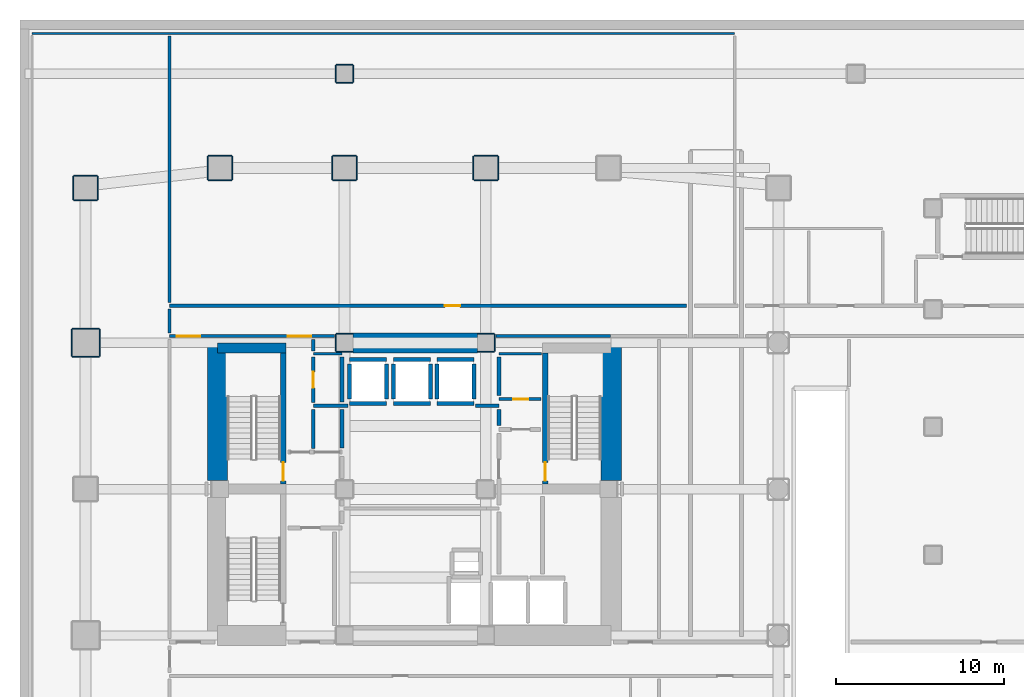
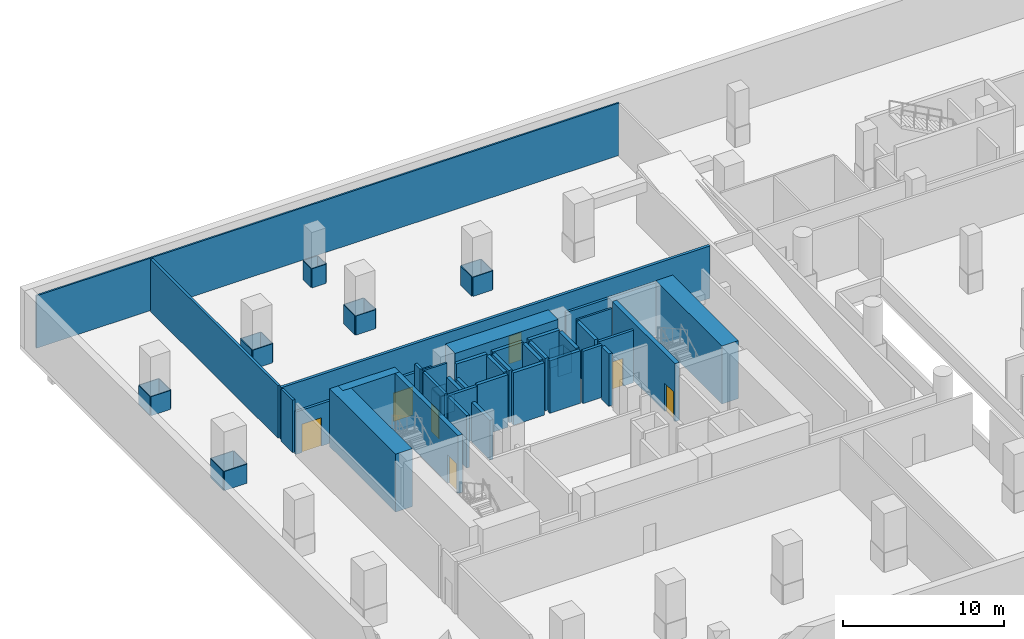
# One storey, part 11 of 22: 66 walls, 7 doors, 7 openings.
"""IFC4 building model written with IfcOpenShell, lengths in metres."""

import ifcopenshell
import ifcopenshell.guid

model = None  # the IFC model being written
_history = None  # IfcOwnerHistory: only IFC2X3 demands one
_inside = {}  # id of a spatial element -> (the spatial element, [elements in it])
_under = {}  # id of a project, library or spatial element -> (it, [spatial elements below it])
_declared = {}  # id of a project -> (the project, [libraries it declares])
_typed = {}  # id of a type object -> (the type object, [elements of that type])
_made_of = {}  # id of a material, layer set ... -> (it, [elements and type objects made of it])


def new_model(schema):
    """Start an empty IFC model of exactly this schema.

    Asked for "IFC4X3", IfcOpenShell would pick the latest addendum, in which some entities
    have other attributes; the version numbers below select the first issue.
    IFC2X3 requires an IfcOwnerHistory on every rooted entity: one is made here for all.
    """
    global model, _history
    if schema == "IFC4X3":
        model = ifcopenshell.file(schema_version=(4, 3, 0, 0))
    else:
        model = ifcopenshell.file(schema=schema)
    _inside.clear()
    _under.clear()
    _declared.clear()
    _typed.clear()
    _made_of.clear()
    _history = None
    if model.schema == "IFC2X3":
        org = make("IfcOrganization", Name="unknown")
        user = make(
            "IfcPersonAndOrganization",
            ThePerson=make("IfcPerson", FamilyName="unknown"),
            TheOrganization=org,
        )
        app = make(
            "IfcApplication",
            ApplicationDeveloper=org,
            Version="unknown",
            ApplicationFullName="unknown",
            ApplicationIdentifier="unknown",
        )
        _history = make(
            "IfcOwnerHistory",
            OwningUser=user,
            OwningApplication=app,
            ChangeAction="ADDED",
            CreationDate=0,
        )
    return model


def make(cls, **values):
    """One entity of the class cls with the attributes given. An attribute that is None is left unset."""
    return model.create_entity(
        cls, **{name: value for name, value in values.items() if value is not None}
    )


def rooted(cls, **values):
    """An entity with a GlobalId (a new one), such as an element, a storey or a relation."""
    return make(cls, GlobalId=ifcopenshell.guid.new(), OwnerHistory=_history, **values)


def si_unit(unit_type, name, prefix=None):
    """IfcSIUnit, for example si_unit("LENGTHUNIT", "METRE", prefix="MILLI")."""
    return make("IfcSIUnit", UnitType=unit_type, Prefix=prefix, Name=name)


def assignment(units):
    """IfcUnitAssignment: the units of a project."""
    return None if units is None else make("IfcUnitAssignment", Units=units)


def point(xyz):
    """IfcCartesianPoint."""
    return None if xyz is None else make("IfcCartesianPoint", Coordinates=xyz)


def direction(xyz):
    """IfcDirection."""
    return None if xyz is None else make("IfcDirection", DirectionRatios=xyz)


def frame(location, z_axis=None, x_axis=None):
    """IfcAxis2Placement3D, a coordinate frame: its origin and axes. An axis left out is left unset."""
    return make(
        "IfcAxis2Placement3D",
        Location=point(location),
        Axis=direction(z_axis),
        RefDirection=direction(x_axis),
    )


def frame_2d(location, x_axis=None):
    """IfcAxis2Placement2D, a coordinate frame in the plane: its origin and x axis."""
    return make(
        "IfcAxis2Placement2D", Location=point(location), RefDirection=direction(x_axis)
    )


def origin():
    """The frame at (0, 0, 0) with its axes left unset."""
    return frame((0.0, 0.0, 0.0))


def place(relative_to, where):
    """IfcLocalPlacement: puts the frame where relative to a parent placement (None: the world)."""
    return make(
        "IfcLocalPlacement", PlacementRelTo=relative_to, RelativePlacement=where
    )


def context(
    kind, dimensions, precision=None, world=None, true_north=None, identifier=None
):
    """IfcGeometricRepresentationContext, for example the 3D "Model" context."""
    return make(
        "IfcGeometricRepresentationContext",
        ContextIdentifier=identifier,
        ContextType=kind,
        CoordinateSpaceDimension=dimensions,
        Precision=precision,
        WorldCoordinateSystem=world,
        TrueNorth=true_north,
    )


def subcontext(parent, identifier, kind, view, scale=None):
    """IfcGeometricRepresentationSubContext, for example "Body" below "Model"."""
    return make(
        "IfcGeometricRepresentationSubContext",
        ContextIdentifier=identifier,
        ContextType=kind,
        ParentContext=parent,
        TargetScale=scale,
        TargetView=view,
    )


def project(units=None, contexts=None):
    """IfcProject with its units and contexts."""
    return rooted(
        "IfcProject",
        Name="project",
        RepresentationContexts=contexts,
        UnitsInContext=assignment(units),
    )


def spatial(cls, under=None, at=None, **own):
    """A site, building, storey or space (cls), placed at a placement, below another one or the project."""
    s = rooted(cls, ObjectPlacement=at, **own)
    if under is not None:
        _under.setdefault(under.id(), (under, []))[1].append(s)
    return s


def profile(cls, at=None, kind="AREA", **sizes):
    """A parametric profile (cls). Its sizes go by their IFC names, for example OverallWidth=200.0."""
    return make(cls, ProfileType=kind, Position=at, **sizes)


def rectangle(**sizes):
    """IfcRectangleProfileDef."""
    return profile("IfcRectangleProfileDef", **sizes)


def extrude(swept, where, along, depth):
    """IfcExtrudedAreaSolid: the profile swept, set in the frame where, extruded along a direction by depth."""
    return make(
        "IfcExtrudedAreaSolid",
        SweptArea=swept,
        Position=where,
        ExtrudedDirection=direction(along),
        Depth=depth,
    )


def shape(context_of_items, identifier, shape_type, items):
    """IfcShapeRepresentation: the items that make up one representation, for example the "Body"."""
    return make(
        "IfcShapeRepresentation",
        ContextOfItems=context_of_items,
        RepresentationIdentifier=identifier,
        RepresentationType=shape_type,
        Items=items,
    )


def material(Name=None, Category=None):
    """IfcMaterial."""
    return make("IfcMaterial", Name=Name, Category=Category)


def layer(
    of_material, thickness, ventilated=None, Name=None, Category=None, Priority=None
):
    """IfcMaterialLayer: one layer of a wall or slab, of a material (None: an air gap)."""
    return make(
        "IfcMaterialLayer",
        Material=of_material,
        LayerThickness=thickness,
        IsVentilated=ventilated,
        Name=Name,
        Category=Category,
        Priority=Priority,
    )


def layer_set(layers, Name=None):
    """IfcMaterialLayerSet."""
    return make("IfcMaterialLayerSet", MaterialLayers=layers, LayerSetName=Name)


def made_of(thing, what):
    """Note that an element or type object is made of a material, layer set ...; save() writes the relation."""
    if what is not None:
        _made_of.setdefault(what.id(), (what, []))[1].append(thing)
    return thing


def type_object(cls, material=None, **own):
    """A type object (cls), such as IfcWallType, which elements share."""
    return made_of(rooted(cls, **own), material)


def element(
    cls,
    number,
    at=None,
    inside=None,
    cuts=None,
    type_object=None,
    material=None,
    context=None,
    identifier="Body",
    shape_type=None,
    held_by="IfcProductDefinitionShape",
    body=None,
    shapes=None,
    **own,
):
    """One element of the class cls, such as IfcWall. Its Tag is "e" and its number.

    at: its placement. inside: the storey or other place that contains it. cuts: it is an
    opening in that element (IfcRelVoidsElement). A single representation is given by context,
    identifier, shape_type and body (its items); several are given by shapes. held_by: the class
    of the entity that holds the representations. save() writes the other relations.
    """
    e = rooted(cls, Tag="e%d" % number, ObjectPlacement=at, **own)
    if body is not None:
        shapes = [shape(context, identifier, shape_type, body)]
    if shapes is not None:
        e.Representation = make(held_by, Representations=shapes)
    if inside is not None:
        _inside.setdefault(inside.id(), (inside, []))[1].append(e)
    if cuts is not None:
        rooted(
            "IfcRelVoidsElement", RelatingBuildingElement=cuts, RelatedOpeningElement=e
        )
    if type_object is not None:
        _typed.setdefault(type_object.id(), (type_object, []))[1].append(e)
    return made_of(e, material)


def fill(opening, filler):
    """IfcRelFillsElement: the door or window that sits in an opening."""
    return rooted(
        "IfcRelFillsElement",
        RelatingOpeningElement=opening,
        RelatedBuildingElement=filler,
    )


def aggregate(whole, parts):
    """IfcRelAggregates: a whole, such as a stair, and the parts it consists of."""
    return rooted("IfcRelAggregates", RelatingObject=whole, RelatedObjects=parts)


def save(model, path):
    """Write the relations noted so far, then the file.

    IfcRelAggregates (storeys below a building ...), IfcRelContainedInSpatialStructure (elements
    in a storey), IfcRelDefinesByType, IfcRelAssociatesMaterial and IfcRelDeclares: one each for
    every whole, place, type object, material and project.
    """
    for whole, parts in _under.values():
        aggregate(whole, parts)
    for where, things in _inside.values():
        rooted(
            "IfcRelContainedInSpatialStructure",
            RelatedElements=things,
            RelatingStructure=where,
        )
    for kind, things in _typed.values():
        rooted("IfcRelDefinesByType", RelatedObjects=things, RelatingType=kind)
    for what, things in _made_of.values():
        rooted("IfcRelAssociatesMaterial", RelatedObjects=things, RelatingMaterial=what)
    for by, libraries in _declared.values():
        rooted("IfcRelDeclares", RelatingContext=by, RelatedDefinitions=libraries)
    model.write(path)


model = new_model("IFC4")

# Units and contexts
model_context = context("Model", 3, precision=1e-05, world=origin(), true_north=direction((0.0, 1.0)))
body_context = subcontext(model_context, "Body", "Model", "MODEL_VIEW")
ifc_project = project(units=[si_unit("LENGTHUNIT", "METRE"), si_unit("AREAUNIT", "SQUARE_METRE"), si_unit("VOLUMEUNIT", "CUBIC_METRE"), si_unit("PLANEANGLEUNIT", "RADIAN"), si_unit("MASSUNIT", "GRAM", prefix="KILO")], contexts=[model_context])

# Site, building, storey
site_placement = place(None, origin())
site = spatial("IfcSite", under=ifc_project, at=site_placement, CompositionType="ELEMENT")
building_placement = place(site_placement, origin())
building = spatial("IfcBuilding", under=site, at=building_placement, Name="Solanera Arch Residences", CompositionType="ELEMENT")
storey_placement = place(building_placement, frame((0.0, 0.0, -4.39990234375)))
storey = spatial("IfcBuildingStorey", under=building, at=storey_placement, Name="B01", CompositionType="ELEMENT", Elevation=-4.39990234375)

# Walls
ifc_material_1 = material(Name="Fire-Rated Gypsum Stud Partition", Category="gypsum")
ifc_layer_1 = layer(ifc_material_1, 0.06005859375)
ifc_layer_set_1 = layer_set([ifc_layer_1], Name="Fire-Rated Gypsum Stud Partition")
wall_type_1 = type_object("IfcWallType", Name="Column Acoustic Furring Wall 60", PredefinedType="PARTITIONING", material=ifc_layer_set_1)
for number, where, z_axis, x_axis, name in (
    (1, (20.300048828125, 38.867919921875, 0.0), (0.0, 0.0, 1.0), (1.0, 0.0, 0.0), "B01 Column Furring 3S"),
    (2, (20.300048828125, 39.931884765625, 0.0), (0.0, 0.0, 1.0), (1.0, 0.0, 0.0), "B01 Column Furring 3N"),
):
    element("IfcWall", number, at=place(storey_placement, frame(where, z_axis=z_axis, x_axis=x_axis)), inside=storey, type_object=wall_type_1, Name=name, PredefinedType="PARTITIONING", context=body_context, shape_type="SweptSolid", body=[
        extrude(rectangle(XDim=0.989990234375, YDim=0.06005859375, at=frame_2d((0.4951171875, 0.0))), origin(), (0.0, 0.0, 1.0), 1.449951171875),
    ])
wall_1_placement = place(storey_placement, frame((20.26806640625, 38.89990234375, 0.0), z_axis=(0.0, 0.0, 1.0), x_axis=(0.0, 1.0, 0.0)))
element("IfcWall", 3, at=wall_1_placement, inside=storey, type_object=wall_type_1, Name="B01 Column Furring 3W", PredefinedType="PARTITIONING", context=body_context, shape_type="SweptSolid", body=[
    extrude(rectangle(XDim=1.0, YDim=0.06005859375, at=frame_2d((0.5, 0.0))), origin(), (0.0, 0.0, 1.0), 1.449951171875),
])
for number, where, z_axis, x_axis, name in (
    (4, (28.7099609375, 38.867919921875, 0.0), (0.0, 0.0, 1.0), (1.0, 0.0, 0.0), "B01 Column Furring 4S"),
    (5, (28.7099609375, 39.931884765625, 0.0), (0.0, 0.0, 1.0), (1.0, 0.0, 0.0), "B01 Column Furring 4N"),
):
    element("IfcWall", number, at=place(storey_placement, frame(where, z_axis=z_axis, x_axis=x_axis)), inside=storey, type_object=wall_type_1, Name=name, PredefinedType="PARTITIONING", context=body_context, shape_type="SweptSolid", body=[
        extrude(rectangle(XDim=0.989990234375, YDim=0.06005859375, at=frame_2d((0.4951171875, 0.0))), origin(), (0.0, 0.0, 1.0), 1.449951171875),
    ])
wall_2_placement = place(storey_placement, frame((29.73193359375, 38.89990234375, 0.0), z_axis=(0.0, 0.0, 1.0), x_axis=(0.0, 1.0, 0.0)))
element("IfcWall", 6, at=wall_2_placement, inside=storey, type_object=wall_type_1, Name="B01 Column Furring 4E", PredefinedType="PARTITIONING", context=body_context, shape_type="SweptSolid", body=[
    extrude(rectangle(XDim=1.0, YDim=0.06005859375, at=frame_2d((0.5, 0.0))), origin(), (0.0, 0.0, 1.0), 1.449951171875),
])
for number, where, z_axis, x_axis, name in (
    (7, (12.699951171875, 49.068115234375, 0.0), (0.0, 0.0, 1.0), (1.0, 0.0, 0.0), "B01 Column Furring 11S"),
    (8, (12.699951171875, 50.531982421875, 0.0), (0.0, 0.0, 1.0), (1.0, 0.0, 0.0), "B01 Column Furring 11N"),
):
    element("IfcWall", number, at=place(storey_placement, frame(where, z_axis=z_axis, x_axis=x_axis)), inside=storey, type_object=wall_type_1, Name=name, PredefinedType="PARTITIONING", context=body_context, shape_type="SweptSolid", body=[
        extrude(rectangle(XDim=1.400146484375, YDim=0.06005859375, at=frame_2d((0.7001953125, 0.0))), origin(), (0.0, 0.0, 1.0), 1.449951171875),
    ])
for number, where, z_axis, x_axis, name in (
    (9, (12.66796875, 49.10009765625, 0.0), (0.0, 0.0, 1.0), (0.0, 1.0, 0.0), "B01 Column Furring 11W"),
    (10, (14.132080078125, 49.10009765625, 0.0), (0.0, 0.0, 1.0), (0.0, 1.0, 0.0), "B01 Column Furring 11E"),
    (11, (20.10009765625, 49.068115234375, 0.0), (0.0, 0.0, 1.0), (1.0, 0.0, 0.0), "B01 Column Furring 12S"),
    (12, (20.10009765625, 50.531982421875, 0.0), (0.0, 0.0, 1.0), (1.0, 0.0, 0.0), "B01 Column Furring 12N"),
    (13, (20.068115234375, 49.10009765625, 0.0), (0.0, 0.0, 1.0), (0.0, 1.0, 0.0), "B01 Column Furring 12W"),
    (14, (21.531982421875, 49.10009765625, 0.0), (0.0, 0.0, 1.0), (0.0, 1.0, 0.0), "B01 Column Furring 12E"),
    (15, (28.5, 49.068115234375, 0.0), (0.0, 0.0, 1.0), (1.0, 0.0, 0.0), "B01 Column Furring 13S"),
    (16, (28.5, 50.531982421875, 0.0), (0.0, 0.0, 1.0), (1.0, 0.0, 0.0), "B01 Column Furring 13N"),
    (17, (28.468017578125, 49.10009765625, 0.0), (0.0, 0.0, 1.0), (0.0, 1.0, 0.0), "B01 Column Furring 13W"),
    (18, (29.931884765625, 49.10009765625, 0.0), (0.0, 0.0, 1.0), (0.0, 1.0, 0.0), "B01 Column Furring 13E"),
):
    element("IfcWall", number, at=place(storey_placement, frame(where, z_axis=z_axis, x_axis=x_axis)), inside=storey, type_object=wall_type_1, Name=name, PredefinedType="PARTITIONING", context=body_context, shape_type="SweptSolid", body=[
        extrude(rectangle(XDim=1.39990234375, YDim=0.06005859375, at=frame_2d((0.699951171875, 0.0))), origin(), (0.0, 0.0, 1.0), 1.449951171875),
    ])
for number, where, z_axis, x_axis, name in (
    (19, (4.60009765625, 38.568115234375, 0.0), (0.0, 0.0, 1.0), (1.0, 0.0, 0.0), "B01 Column Furring 17S"),
    (20, (4.60009765625, 40.23193359375, 0.0), (0.0, 0.0, 1.0), (1.0, 0.0, 0.0), "B01 Column Furring 17N"),
    (21, (4.568115234375, 38.60009765625, 0.0), (0.0, 0.0, 1.0), (0.0, 1.0, 0.0), "B01 Column Furring 17W"),
    (22, (6.23193359375, 38.60009765625, 0.0), (0.0, 0.0, 1.0), (0.0, 1.0, 0.0), "B01 Column Furring 17E"),
):
    element("IfcWall", number, at=place(storey_placement, frame(where, z_axis=z_axis, x_axis=x_axis)), inside=storey, type_object=wall_type_1, Name=name, PredefinedType="PARTITIONING", context=body_context, shape_type="SweptSolid", body=[
        extrude(rectangle(XDim=1.599853515625, YDim=0.06005859375, at=frame_2d((0.7998046875, 0.0))), origin(), (0.0, 0.0, 1.0), 1.449951171875),
    ])
for number, where, z_axis, x_axis, name in (
    (23, (4.699951171875, 47.867919921875, 0.0), (0.0, 0.0, 1.0), (1.0, 0.0, 0.0), "B01 Column Furring 23S"),
    (24, (4.699951171875, 49.33203125, 0.0), (0.0, 0.0, 1.0), (1.0, 0.0, 0.0), "B01 Column Furring 23N"),
    (25, (4.66796875, 47.89990234375, 0.0), (0.0, 0.0, 1.0), (0.0, 1.0, 0.0), "B01 Column Furring 23W"),
    (26, (6.132080078125, 47.89990234375, 0.0), (0.0, 0.0, 1.0), (0.0, 1.0, 0.0), "B01 Column Furring 23E"),
):
    element("IfcWall", number, at=place(storey_placement, frame(where, z_axis=z_axis, x_axis=x_axis)), inside=storey, type_object=wall_type_1, Name=name, PredefinedType="PARTITIONING", context=body_context, shape_type="SweptSolid", body=[
        extrude(rectangle(XDim=1.400146484375, YDim=0.06005859375, at=frame_2d((0.7001953125, 0.0))), origin(), (0.0, 0.0, 1.0), 1.449951171875),
    ])
for number, where, z_axis, x_axis, name in (
    (27, (20.300048828125, 54.867919921875, 0.0), (0.0, 0.0, 1.0), (1.0, 0.0, 0.0), "B01 Column Furring 38S"),
    (28, (20.300048828125, 55.931884765625, 0.0), (0.0, 0.0, 1.0), (1.0, 0.0, 0.0), "B01 Column Furring 38N"),
    (29, (20.26806640625, 54.89990234375, 0.0), (0.0, 0.0, 1.0), (0.0, 1.0, 0.0), "B01 Column Furring 38W"),
    (30, (21.33203125, 54.89990234375, 0.0), (0.0, 0.0, 1.0), (0.0, 1.0, 0.0), "B01 Column Furring 38E"),
):
    element("IfcWall", number, at=place(storey_placement, frame(where, z_axis=z_axis, x_axis=x_axis)), inside=storey, type_object=wall_type_1, Name=name, PredefinedType="PARTITIONING", context=body_context, shape_type="SweptSolid", body=[
        extrude(rectangle(XDim=1.0, YDim=0.06005859375, at=frame_2d((0.5, 0.0))), origin(), (0.0, 0.0, 1.0), 1.449951171875),
    ])
ifc_material_2 = material(Name="Concrete C55/67 (f'c = 60 MPa)", Category="concrete")
ifc_layer_2 = layer(ifc_material_2, 1.199951171875)
ifc_layer_set_2 = layer_set([ifc_layer_2], Name="Concrete C55/67 (f'c = 60 MPa)")
wall_type_2 = type_object("IfcWallType", Name="Core Shear Wall CW-1200", PredefinedType="SHEAR", material=ifc_layer_set_2)
for number, where, z_axis, x_axis, name in (
    (31, (13.239990234375, 31.205078125, 0.0), (0.0, 0.0, 1.0), (0.0, 1.0, 0.0), "B01 West Core North Shear Wall"),
    (32, (36.659912109375, 31.205078125, 0.0), (0.0, 0.0, 1.0), (0.0, 1.0, 0.0), "B01 East Core North Shear Wall"),
):
    element("IfcWall", number, at=place(storey_placement, frame(where, z_axis=z_axis, x_axis=x_axis)), inside=storey, type_object=wall_type_2, Name=name, PredefinedType="SHEAR", context=body_context, shape_type="SweptSolid", body=[
        extrude(rectangle(XDim=8.19482421875, YDim=1.199951171875, at=frame_2d((4.097412109375, 0.0))), origin(), (0.0, 0.0, 1.0), 4.39990234375),
    ])
wall_3_placement = place(storey_placement, frame((21.304931640625, 39.39990234375, 0.0), z_axis=(0.0, 0.0, 1.0), x_axis=(1.0, 0.0, 0.0)))
element("IfcWall", 33, at=wall_3_placement, inside=storey, type_object=wall_type_2, Name="B01 Central North Core Shear Wall", PredefinedType="SHEAR", context=body_context, shape_type="SweptSolid", body=[
    extrude(rectangle(XDim=7.39013671875, YDim=1.199951171875, at=frame_2d((3.695068359375, 0.0))), origin(), (0.0, 0.0, 1.0), 4.39990234375),
])

# Wall, opening, door
ifc_material_3 = material(Name="Concrete C40/50 (f'c = 45 MPa)", Category="concrete")
ifc_layer_3 = layer(ifc_material_3, 0.320068359375)
ifc_layer_set_3 = layer_set([ifc_layer_3], Name="Concrete C40/50 (f'c = 45 MPa)")
wall_type_3 = type_object("IfcWallType", Name="Core Shear Wall CW-320", PredefinedType="SHEAR", material=ifc_layer_set_3)
wall_4_placement = place(storey_placement, frame((17.159912109375, 31.0, 0.0), z_axis=(0.0, 0.0, 1.0), x_axis=(0.0, 1.0, 0.0)))
wall_4 = element("IfcWall", 34, at=wall_4_placement, inside=storey, type_object=wall_type_3, Name="B01 Stair ST-T1 East Shear Wall", PredefinedType="SHEAR", context=body_context, shape_type="SweptSolid", body=[
    extrude(rectangle(XDim=7.800048828125, YDim=0.320068359375, at=frame_2d((3.89990234375, 0.0))), origin(), (0.0, 0.0, 1.0), 4.39990234375),
])
opening_1_placement = place(wall_4_placement, frame((0.18994140625, 0.0, 0.0)))
opening_1 = element("IfcOpeningElement", 35, at=opening_1_placement, cuts=wall_4, Name="Opening DF-01", PredefinedType="OPENING", context=body_context, shape_type="SweptSolid", body=[
    extrude(rectangle(XDim=1.10009765625, YDim=2.14990234375, at=frame_2d((0.550048828125, 1.074951171875))), frame((0.0, 0.169921875, 0.0), z_axis=(0.0, -1.0, 0.0), x_axis=(1.0, 0.0, 0.0)), (0.0, 0.0, 1.0), 0.3401),
])
ifc_material_4 = material(Name="Fire-Rated Architectural Hardwood", Category="wood")
door_type_1 = type_object("IfcDoorType", Name="Stair Exit Fire Door DF-01", OperationType="NOTDEFINED", PredefinedType="DOOR", material=ifc_material_4)
door_1_placement = place(opening_1_placement, origin())
door_1 = element("IfcDoor", 36, at=door_1_placement, inside=storey, type_object=door_type_1, Name="DR-B01-STAIR-ST-T1", OperationType="SINGLE_SWING_RIGHT", OverallHeight=2.14990234375, OverallWidth=1.10009765625, PredefinedType="DOOR", context=body_context, shape_type="SweptSolid", body=[
    extrude(rectangle(XDim=1.10009765625, YDim=2.14990234375, at=frame_2d((0.550048828125, 1.074951171875))), frame((0.0, 0.02490234375, 0.0), z_axis=(0.0, -1.0, 0.0), x_axis=(1.0, 0.0, 0.0)), (0.0, 0.0, 1.0), 0.050048828125),
])
fill(opening_1, door_1)

wall_5_placement = place(storey_placement, frame((32.739990234375, 31.0, 0.0), z_axis=(0.0, 0.0, 1.0), x_axis=(0.0, 1.0, 0.0)))
wall_5 = element("IfcWall", 37, at=wall_5_placement, inside=storey, type_object=wall_type_3, Name="B01 Stair ST-T2 West Shear Wall", PredefinedType="SHEAR", context=body_context, shape_type="SweptSolid", body=[
    extrude(rectangle(XDim=7.800048828125, YDim=0.320068359375, at=frame_2d((3.89990234375, 0.0))), origin(), (0.0, 0.0, 1.0), 4.39990234375),
])
opening_2_placement = place(wall_5_placement, frame((0.18994140625, 0.0, 0.0)))
opening_2 = element("IfcOpeningElement", 38, at=opening_2_placement, cuts=wall_5, Name="Opening DF-01", PredefinedType="OPENING", context=body_context, shape_type="SweptSolid", body=[
    extrude(rectangle(XDim=1.10009765625, YDim=2.14990234375, at=frame_2d((0.550048828125, 1.074951171875))), frame((0.0, 0.169921875, 0.0), z_axis=(0.0, -1.0, 0.0), x_axis=(1.0, 0.0, 0.0)), (0.0, 0.0, 1.0), 0.3401),
])
door_2_placement = place(opening_2_placement, origin())
door_2 = element("IfcDoor", 39, at=door_2_placement, inside=storey, type_object=door_type_1, Name="DR-B01-STAIR-ST-T2", OperationType="SINGLE_SWING_LEFT", OverallHeight=2.14990234375, OverallWidth=1.10009765625, PredefinedType="DOOR", context=body_context, shape_type="SweptSolid", body=[
    extrude(rectangle(XDim=1.10009765625, YDim=2.14990234375, at=frame_2d((0.550048828125, 1.074951171875))), frame((0.0, 0.02490234375, 0.0), z_axis=(0.0, -1.0, 0.0), x_axis=(1.0, 0.0, 0.0)), (0.0, 0.0, 1.0), 0.050048828125),
])
fill(opening_2, door_2)

# Wall
ifc_material_5 = material(Name="Concrete C40/50 (f'c = 45 MPa)", Category="concrete")
ifc_layer_4 = layer(ifc_material_5, 0.60009765625)
ifc_layer_set_4 = layer_set([ifc_layer_4], Name="Concrete C40/50 (f'c = 45 MPa)")
wall_type_4 = type_object("IfcWallType", Name="Core Shear Wall CW-600", PredefinedType="SHEAR", material=ifc_layer_set_4)
wall_6_placement = place(storey_placement, frame((13.239990234375, 39.10009765625, 0.0), z_axis=(0.0, 0.0, 1.0), x_axis=(1.0, 0.0, 0.0)))
element("IfcWall", 40, at=wall_6_placement, inside=storey, type_object=wall_type_4, Name="B01 North-West Core Shear Wall", PredefinedType="SHEAR", context=body_context, shape_type="SweptSolid", body=[
    extrude(rectangle(XDim=4.080078125, YDim=0.60009765625, at=frame_2d((2.0400390625, 0.0))), origin(), (0.0, 0.0, 1.0), 4.39990234375),
])

# Wall, opening, door
ifc_material_6 = material(Name="Autoclaved Aerated Concrete Blockwork", Category="masonry")
ifc_layer_5 = layer(ifc_material_6, 0.179931640625)
ifc_layer_set_5 = layer_set([ifc_layer_5], Name="Autoclaved Aerated Concrete Blockwork")
wall_type_5 = type_object("IfcWallType", Name="Corridor Fire Partition 180", PredefinedType="PARTITIONING", material=ifc_layer_set_5)
wall_7_placement = place(storey_placement, frame((29.97509765625, 36.050048828125, 0.0), z_axis=(0.0, 0.0, 1.0), x_axis=(1.0, 0.0, 0.0)))
wall_7 = element("IfcWall", 41, at=wall_7_placement, inside=storey, type_object=wall_type_5, Name="B01 Interior Partition H14", PredefinedType="PARTITIONING", context=body_context, shape_type="SweptSolid", body=[
    extrude(rectangle(XDim=2.5048828125, YDim=0.179931640625, at=frame_2d((1.25244140625, 0.0))), origin(), (0.0, 0.0, 1.0), 3.97998046875),
])
opening_3_placement = place(wall_7_placement, frame((0.85205078125, 0.0, 0.0)))
opening_3 = element("IfcOpeningElement", 42, at=opening_3_placement, cuts=wall_7, Name="Opening DI-02", PredefinedType="OPENING", context=body_context, shape_type="SweptSolid", body=[
    extrude(rectangle(XDim=0.89990234375, YDim=2.10009765625, at=frame_2d((0.449951171875, 1.050048828125))), frame((0.0, 0.10009765625, 0.0), z_axis=(0.0, -1.0, 0.0), x_axis=(1.0, 0.0, 0.0)), (0.0, 0.0, 1.0), 0.1999),
])
ifc_material_7 = material(Name="Fire-Rated Architectural Hardwood", Category="wood")
door_type_2 = type_object("IfcDoorType", Name="Suite Room Swing Door DI-02", OperationType="NOTDEFINED", PredefinedType="DOOR", material=ifc_material_7)
door_3_placement = place(opening_3_placement, origin())
door_3 = element("IfcDoor", 43, at=door_3_placement, inside=storey, type_object=door_type_2, Name="DR-B01-IN-022", OperationType="SINGLE_SWING_LEFT", OverallHeight=2.10009765625, OverallWidth=0.89990234375, PredefinedType="DOOR", context=body_context, shape_type="SweptSolid", body=[
    extrude(rectangle(XDim=0.89990234375, YDim=2.10009765625, at=frame_2d((0.449951171875, 1.050048828125))), frame((0.0, 0.02490234375, 0.0), z_axis=(0.0, -1.0, 0.0), x_axis=(1.0, 0.0, 0.0)), (0.0, 0.0, 1.0), 0.050048828125),
])
fill(opening_3, door_3)

# Wall, openings, doors
wall_8_placement = place(storey_placement, frame((10.39990234375, 39.800048828125, 0.0), z_axis=(0.0, 0.0, 1.0), x_axis=(1.0, 0.0, 0.0)))
wall_8 = element("IfcWall", 44, at=wall_8_placement, inside=storey, type_object=wall_type_5, Name="B01 Interior Partition H15 1", PredefinedType="PARTITIONING", context=body_context, shape_type="SweptSolid", body=[
    extrude(rectangle(XDim=9.798095703125, YDim=0.179931640625, at=frame_2d((4.89892578125, 0.0))), origin(), (0.0, 0.0, 1.0), 3.21484375),
])
opening_4_placement = place(wall_8_placement, frame((7.034912109375, 0.0, 0.0)))
opening_4 = element("IfcOpeningElement", 45, at=opening_4_placement, cuts=wall_8, Name="Opening DF-03", PredefinedType="OPENING", context=body_context, shape_type="SweptSolid", body=[
    extrude(rectangle(XDim=1.39990234375, YDim=2.14990234375, at=frame_2d((0.699951171875, 1.074951171875))), frame((0.0, 0.10009765625, 0.0), z_axis=(0.0, -1.0, 0.0), x_axis=(1.0, 0.0, 0.0)), (0.0, 0.0, 1.0), 0.1999),
])
opening_5_placement = place(wall_8_placement, frame((0.424072265625, 0.0, 0.0)))
opening_5 = element("IfcOpeningElement", 46, at=opening_5_placement, cuts=wall_8, Name="Opening DF-03", PredefinedType="OPENING", context=body_context, shape_type="SweptSolid", body=[
    extrude(rectangle(XDim=1.39990234375, YDim=2.14990234375, at=frame_2d((0.699951171875, 1.074951171875))), frame((0.0, 0.10009765625, 0.0), z_axis=(0.0, -1.0, 0.0), x_axis=(1.0, 0.0, 0.0)), (0.0, 0.0, 1.0), 0.1999),
])
ifc_material_8 = material(Name="Fire-Rated Architectural Hardwood", Category="wood")
door_type_3 = type_object("IfcDoorType", Name="Corridor Smoke Door DF-03", OperationType="NOTDEFINED", PredefinedType="DOOR", material=ifc_material_8)
door_4_placement = place(opening_4_placement, origin())
door_4 = element("IfcDoor", 47, at=door_4_placement, inside=storey, type_object=door_type_3, Name="DR-B01-IN-014", OperationType="SINGLE_SWING_LEFT", OverallHeight=2.14990234375, OverallWidth=1.39990234375, PredefinedType="DOOR", context=body_context, shape_type="SweptSolid", body=[
    extrude(rectangle(XDim=1.39990234375, YDim=2.14990234375, at=frame_2d((0.699951171875, 1.074951171875))), frame((0.0, 0.02490234375, 0.0), z_axis=(0.0, -1.0, 0.0), x_axis=(1.0, 0.0, 0.0)), (0.0, 0.0, 1.0), 0.050048828125),
])
fill(opening_4, door_4)
door_5_placement = place(opening_5_placement, origin())
door_5 = element("IfcDoor", 48, at=door_5_placement, inside=storey, type_object=door_type_3, Name="DR-B01-IN-019", OperationType="SINGLE_SWING_RIGHT", OverallHeight=2.14990234375, OverallWidth=1.39990234375, PredefinedType="DOOR", context=body_context, shape_type="SweptSolid", body=[
    extrude(rectangle(XDim=1.39990234375, YDim=2.14990234375, at=frame_2d((0.699951171875, 1.074951171875))), frame((0.0, 0.02490234375, 0.0), z_axis=(0.0, -1.0, 0.0), x_axis=(1.0, 0.0, 0.0)), (0.0, 0.0, 1.0), 0.050048828125),
])
fill(opening_5, door_5)

# Walls
wall_9_placement = place(storey_placement, frame((29.802001953125, 39.800048828125, 0.0), z_axis=(0.0, 0.0, 1.0), x_axis=(1.0, 0.0, 0.0)))
element("IfcWall", 49, at=wall_9_placement, inside=storey, type_object=wall_type_5, Name="B01 Interior Partition H15 2", PredefinedType="PARTITIONING", context=body_context, shape_type="SweptSolid", body=[
    extrude(rectangle(XDim=6.818115234375, YDim=0.179931640625, at=frame_2d((3.4091796875, 0.0))), origin(), (0.0, 0.0, 1.0), 3.97998046875),
])
wall_10_placement = place(storey_placement, frame((10.39990234375, 39.988037109375, 0.0), z_axis=(0.0, 0.0, 1.0), x_axis=(0.0, 1.0, 0.0)))
element("IfcWall", 50, at=wall_10_placement, inside=storey, type_object=wall_type_5, Name="B01 Interior Partition V10 4", PredefinedType="PARTITIONING", context=body_context, shape_type="SweptSolid", body=[
    extrude(rectangle(XDim=1.4140625, YDim=0.179931640625, at=frame_2d((0.70703125, 0.0))), origin(), (0.0, 0.0, 1.0), 3.97998046875),
])
wall_11_placement = place(storey_placement, frame((10.39990234375, 41.798095703125, 0.0), z_axis=(0.0, 0.0, 1.0), x_axis=(0.0, 1.0, 0.0)))
element("IfcWall", 51, at=wall_11_placement, inside=storey, type_object=wall_type_5, Name="B01 Interior Partition V10 5", PredefinedType="PARTITIONING", context=body_context, shape_type="SweptSolid", body=[
    extrude(rectangle(XDim=15.843994140625, YDim=0.179931640625, at=frame_2d((7.921875, 0.0))), origin(), (0.0, 0.0, 1.0), 3.97998046875),
])
ifc_material_9 = material(Name="Autoclaved Aerated Concrete Blockwork", Category="masonry")
ifc_layer_6 = layer(ifc_material_9, 0.199951171875)
ifc_layer_set_6 = layer_set([ifc_layer_6], Name="Autoclaved Aerated Concrete Blockwork")
wall_type_6 = type_object("IfcWallType", Name="Party Wall Acoustic 200", PredefinedType="PARTITIONING", material=ifc_layer_set_6)
wall_12_placement = place(storey_placement, frame((18.949951171875, 35.64990234375, 0.0), z_axis=(0.0, 0.0, 1.0), x_axis=(1.0, 0.0, 0.0)))
element("IfcWall", 52, at=wall_12_placement, inside=storey, type_object=wall_type_6, Name="B01 Interior Partition H7 1", PredefinedType="PARTITIONING", context=body_context, shape_type="SweptSolid", body=[
    extrude(rectangle(XDim=2.046142578125, YDim=0.199951171875, at=frame_2d((1.02294921875, 0.0))), origin(), (0.0, 0.0, 1.0), 3.97998046875),
])
wall_13_placement = place(storey_placement, frame((28.60400390625, 35.64990234375, 0.0), z_axis=(0.0, 0.0, 1.0), x_axis=(1.0, 0.0, 0.0)))
element("IfcWall", 53, at=wall_13_placement, inside=storey, type_object=wall_type_6, Name="B01 Interior Partition H7 2", PredefinedType="PARTITIONING", context=body_context, shape_type="SweptSolid", body=[
    extrude(rectangle(XDim=1.37109375, YDim=0.199951171875, at=frame_2d((0.685546875, 0.0))), origin(), (0.0, 0.0, 1.0), 3.97998046875),
])

# Wall, opening, door
wall_14_placement = place(storey_placement, frame((10.39990234375, 41.60009765625, 0.0), z_axis=(0.0, 0.0, 1.0), x_axis=(1.0, 0.0, 0.0)))
wall_14 = element("IfcWall", 54, at=wall_14_placement, inside=storey, type_object=wall_type_6, Name="B01 Interior Partition H8 1", PredefinedType="PARTITIONING", context=body_context, shape_type="SweptSolid", body=[
    extrude(rectangle(XDim=30.752197265625, YDim=0.199951171875, at=frame_2d((15.3759765625, 0.0))), origin(), (0.0, 0.0, 1.0), 3.97998046875),
])
opening_6_placement = place(wall_14_placement, frame((16.3740234375, 0.0, 0.0)))
opening_6 = element("IfcOpeningElement", 55, at=opening_6_placement, cuts=wall_14, Name="Opening DI-02", PredefinedType="OPENING", context=body_context, shape_type="SweptSolid", body=[
    extrude(rectangle(XDim=0.89990234375, YDim=2.10009765625, at=frame_2d((0.449951171875, 1.050048828125))), frame((0.0, 0.110107421875, 0.0), z_axis=(0.0, -1.0, 0.0), x_axis=(1.0, 0.0, 0.0)), (0.0, 0.0, 1.0), 0.22),
])
door_6_placement = place(opening_6_placement, origin())
door_6 = element("IfcDoor", 56, at=door_6_placement, inside=storey, type_object=door_type_2, Name="DR-B01-IN-026", OperationType="SINGLE_SWING_LEFT", OverallHeight=2.10009765625, OverallWidth=0.89990234375, PredefinedType="DOOR", context=body_context, shape_type="SweptSolid", body=[
    extrude(rectangle(XDim=0.89990234375, YDim=2.10009765625, at=frame_2d((0.449951171875, 1.050048828125))), frame((0.0, 0.02490234375, 0.0), z_axis=(0.0, -1.0, 0.0), x_axis=(1.0, 0.0, 0.0)), (0.0, 0.0, 1.0), 0.050048828125),
])
fill(opening_6, door_6)

# Wall
wall_15_placement = place(storey_placement, frame((18.949951171875, 33.1279296875, 0.0), z_axis=(0.0, 0.0, 1.0), x_axis=(0.0, 1.0, 0.0)))
element("IfcWall", 57, at=wall_15_placement, inside=storey, type_object=wall_type_6, Name="B01 Interior Partition V6 1", PredefinedType="PARTITIONING", context=body_context, shape_type="SweptSolid", body=[
    extrude(rectangle(XDim=2.31396484375, YDim=0.199951171875, at=frame_2d((1.156982421875, 0.0))), origin(), (0.0, 0.0, 1.0), 3.97998046875),
])

# Wall, opening, door
wall_16_placement = place(storey_placement, frame((18.949951171875, 35.85791015625, 0.0), z_axis=(0.0, 0.0, 1.0), x_axis=(0.0, 1.0, 0.0)))
wall_16 = element("IfcWall", 58, at=wall_16_placement, inside=storey, type_object=wall_type_6, Name="B01 Interior Partition V6 2", PredefinedType="PARTITIONING", context=body_context, shape_type="SweptSolid", body=[
    extrude(rectangle(XDim=2.714111328125, YDim=0.199951171875, at=frame_2d((1.35693359375, 0.0))), origin(), (0.0, 0.0, 1.0), 3.97998046875),
])
opening_7_placement = place(wall_16_placement, frame((0.866943359375, 0.0, 0.0)))
opening_7 = element("IfcOpeningElement", 59, at=opening_7_placement, cuts=wall_16, Name="Opening DI-04", PredefinedType="OPENING", context=body_context, shape_type="SweptSolid", body=[
    extrude(rectangle(XDim=0.949951171875, YDim=2.10009765625, at=frame_2d((0.47509765625, 1.050048828125))), frame((0.0, 0.110107421875, 0.0), z_axis=(0.0, -1.0, 0.0), x_axis=(1.0, 0.0, 0.0)), (0.0, 0.0, 1.0), 0.22),
])
ifc_material_10 = material(Name="Fire-Rated Architectural Hardwood", Category="wood")
door_type_4 = type_object("IfcDoorType", Name="Accessible Restroom Door DI-04", OperationType="NOTDEFINED", PredefinedType="DOOR", material=ifc_material_10)
door_7_placement = place(opening_7_placement, origin())
door_7 = element("IfcDoor", 60, at=door_7_placement, inside=storey, type_object=door_type_4, Name="DR-B01-IN-023", OperationType="SINGLE_SWING_RIGHT", OverallHeight=2.10009765625, OverallWidth=0.949951171875, PredefinedType="DOOR", context=body_context, shape_type="SweptSolid", body=[
    extrude(rectangle(XDim=0.949951171875, YDim=2.10009765625, at=frame_2d((0.47509765625, 1.050048828125))), frame((0.0, 0.02490234375, 0.0), z_axis=(0.0, -1.0, 0.0), x_axis=(1.0, 0.0, 0.0)), (0.0, 0.0, 1.0), 0.050048828125),
])
fill(opening_7, door_7)

# Walls
wall_17_placement = place(storey_placement, frame((18.949951171875, 38.927978515625, 0.0), z_axis=(0.0, 0.0, 1.0), x_axis=(0.0, 1.0, 0.0)))
element("IfcWall", 61, at=wall_17_placement, inside=storey, type_object=wall_type_6, Name="B01 Interior Partition V6 3", PredefinedType="PARTITIONING", context=body_context, shape_type="SweptSolid", body=[
    extrude(rectangle(XDim=0.674072265625, YDim=0.199951171875, at=frame_2d((0.3369140625, 0.0))), origin(), (0.0, 0.0, 1.0), 3.97998046875),
])
ifc_material_11 = material(Name="Autoclaved Aerated Concrete Blockwork", Category="masonry")
ifc_layer_7 = layer(ifc_material_11, 0.239990234375)
ifc_layer_set_7 = layer_set([ifc_layer_7], Name="Autoclaved Aerated Concrete Blockwork")
wall_type_7 = type_object("IfcWallType", Name="Shaft Wall Fire-Rated 240", PredefinedType="PARTITIONING", material=ifc_layer_set_7)
for number, where, z_axis, x_axis, name in (
    (62, (21.10009765625, 35.800048828125, 0.0), (0.0, 0.0, 1.0), (1.0, 0.0, 0.0), "B01 Lift PL-L1 Hoistway Wall S"),
    (63, (21.10009765625, 38.39990234375, 0.0), (0.0, 0.0, 1.0), (1.0, 0.0, 0.0), "B01 Lift PL-L1 Hoistway Wall N"),
):
    element("IfcWall", number, at=place(storey_placement, frame(where, z_axis=z_axis, x_axis=x_axis)), inside=storey, type_object=wall_type_7, Name=name, PredefinedType="PARTITIONING", context=body_context, shape_type="SweptSolid", body=[
        extrude(rectangle(XDim=2.199951171875, YDim=0.239990234375, at=frame_2d((1.10009765625, 0.0))), origin(), (0.0, 0.0, 1.0), 3.97998046875),
    ])
wall_18_placement = place(storey_placement, frame((21.10009765625, 36.048095703125, 0.0), z_axis=(0.0, 0.0, 1.0), x_axis=(0.0, 1.0, 0.0)))
element("IfcWall", 64, at=wall_18_placement, inside=storey, type_object=wall_type_7, Name="B01 Lift PL-L1 Hoistway Wall W", PredefinedType="PARTITIONING", context=body_context, shape_type="SweptSolid", body=[
    extrude(rectangle(XDim=2.10400390625, YDim=0.239990234375, at=frame_2d((1.052001953125, 0.0))), origin(), (0.0, 0.0, 1.0), 3.014892578125),
])
wall_19_placement = place(storey_placement, frame((23.300048828125, 36.048095703125, 0.0), z_axis=(0.0, 0.0, 1.0), x_axis=(0.0, 1.0, 0.0)))
element("IfcWall", 65, at=wall_19_placement, inside=storey, type_object=wall_type_7, Name="B01 Lift PL-L1 Hoistway Wall E", PredefinedType="PARTITIONING", context=body_context, shape_type="SweptSolid", body=[
    extrude(rectangle(XDim=2.10400390625, YDim=0.239990234375, at=frame_2d((1.052001953125, 0.0))), origin(), (0.0, 0.0, 1.0), 3.97998046875),
])
for number, where, z_axis, x_axis, name in (
    (66, (23.699951171875, 35.800048828125, 0.0), (0.0, 0.0, 1.0), (1.0, 0.0, 0.0), "B01 Lift PL-L2 Hoistway Wall S"),
    (67, (23.699951171875, 38.39990234375, 0.0), (0.0, 0.0, 1.0), (1.0, 0.0, 0.0), "B01 Lift PL-L2 Hoistway Wall N"),
):
    element("IfcWall", number, at=place(storey_placement, frame(where, z_axis=z_axis, x_axis=x_axis)), inside=storey, type_object=wall_type_7, Name=name, PredefinedType="PARTITIONING", context=body_context, shape_type="SweptSolid", body=[
        extrude(rectangle(XDim=2.199951171875, YDim=0.239990234375, at=frame_2d((1.10009765625, 0.0))), origin(), (0.0, 0.0, 1.0), 3.97998046875),
    ])
for number, where, z_axis, x_axis, name in (
    (68, (23.699951171875, 36.048095703125, 0.0), (0.0, 0.0, 1.0), (0.0, 1.0, 0.0), "B01 Lift PL-L2 Hoistway Wall W"),
    (69, (25.89990234375, 36.048095703125, 0.0), (0.0, 0.0, 1.0), (0.0, 1.0, 0.0), "B01 Lift PL-L2 Hoistway Wall E"),
):
    element("IfcWall", number, at=place(storey_placement, frame(where, z_axis=z_axis, x_axis=x_axis)), inside=storey, type_object=wall_type_7, Name=name, PredefinedType="PARTITIONING", context=body_context, shape_type="SweptSolid", body=[
        extrude(rectangle(XDim=2.10400390625, YDim=0.239990234375, at=frame_2d((1.052001953125, 0.0))), origin(), (0.0, 0.0, 1.0), 3.97998046875),
    ])
for number, where, z_axis, x_axis, name in (
    (70, (26.300048828125, 35.800048828125, 0.0), (0.0, 0.0, 1.0), (1.0, 0.0, 0.0), "B01 Lift PL-L3 Hoistway Wall S"),
    (71, (26.300048828125, 38.39990234375, 0.0), (0.0, 0.0, 1.0), (1.0, 0.0, 0.0), "B01 Lift PL-L3 Hoistway Wall N"),
):
    element("IfcWall", number, at=place(storey_placement, frame(where, z_axis=z_axis, x_axis=x_axis)), inside=storey, type_object=wall_type_7, Name=name, PredefinedType="PARTITIONING", context=body_context, shape_type="SweptSolid", body=[
        extrude(rectangle(XDim=2.199951171875, YDim=0.239990234375, at=frame_2d((1.10009765625, 0.0))), origin(), (0.0, 0.0, 1.0), 3.97998046875),
    ])
for number, where, z_axis, x_axis, name in (
    (72, (26.300048828125, 36.048095703125, 0.0), (0.0, 0.0, 1.0), (0.0, 1.0, 0.0), "B01 Lift PL-L3 Hoistway Wall W"),
    (73, (28.5, 36.048095703125, 0.0), (0.0, 0.0, 1.0), (0.0, 1.0, 0.0), "B01 Lift PL-L3 Hoistway Wall E"),
):
    element("IfcWall", number, at=place(storey_placement, frame(where, z_axis=z_axis, x_axis=x_axis)), inside=storey, type_object=wall_type_7, Name=name, PredefinedType="PARTITIONING", context=body_context, shape_type="SweptSolid", body=[
        extrude(rectangle(XDim=2.10400390625, YDim=0.239990234375, at=frame_2d((1.052001953125, 0.0))), origin(), (0.0, 0.0, 1.0), 3.97998046875),
    ])
wall_20_placement = place(storey_placement, frame((20.64990234375, 33.14794921875, 0.0), z_axis=(0.0, 0.0, 1.0), x_axis=(0.0, 1.0, 0.0)))
element("IfcWall", 74, at=wall_20_placement, inside=storey, type_object=wall_type_7, Name="B01 Interior Partition V3 4", PredefinedType="PARTITIONING", context=body_context, shape_type="SweptSolid", body=[
    extrude(rectangle(XDim=2.274169921875, YDim=0.239990234375, at=frame_2d((1.13720703125, 0.0))), origin(), (0.0, 0.0, 1.0), 3.014892578125),
])
wall_21_placement = place(storey_placement, frame((20.64990234375, 35.8779296875, 0.0), z_axis=(0.0, 0.0, 1.0), x_axis=(0.0, 1.0, 0.0)))
element("IfcWall", 75, at=wall_21_placement, inside=storey, type_object=wall_type_7, Name="B01 Interior Partition V3 5", PredefinedType="PARTITIONING", context=body_context, shape_type="SweptSolid", body=[
    extrude(rectangle(XDim=2.674072265625, YDim=0.239990234375, at=frame_2d((1.3369140625, 0.0))), origin(), (0.0, 0.0, 1.0), 3.014892578125),
])
wall_22_placement = place(storey_placement, frame((29.97509765625, 34.498046875, 0.0), z_axis=(0.0, 0.0, 1.0), x_axis=(0.0, 1.0, 0.0)))
element("IfcWall", 76, at=wall_22_placement, inside=storey, type_object=wall_type_7, Name="B01 Interior Partition V4 3", PredefinedType="PARTITIONING", context=body_context, shape_type="SweptSolid", body=[
    extrude(rectangle(XDim=0.924072265625, YDim=0.239990234375, at=frame_2d((0.4619140625, 0.0))), origin(), (0.0, 0.0, 1.0), 3.97998046875),
])
wall_23_placement = place(storey_placement, frame((29.97509765625, 36.26806640625, 0.0), z_axis=(0.0, 0.0, 1.0), x_axis=(0.0, 1.0, 0.0)))
element("IfcWall", 77, at=wall_23_placement, inside=storey, type_object=wall_type_7, Name="B01 Interior Partition V4 4", PredefinedType="PARTITIONING", context=body_context, shape_type="SweptSolid", body=[
    extrude(rectangle(XDim=2.283935546875, YDim=0.239990234375, at=frame_2d((1.14208984375, 0.0))), origin(), (0.0, 0.0, 1.0), 3.97998046875),
])
ifc_material_12 = material(Name="Fire-Rated Gypsum Stud Partition", Category="gypsum")
ifc_layer_8 = layer(ifc_material_12, 0.1201171875)
ifc_layer_set_8 = layer_set([ifc_layer_8], Name="Fire-Rated Gypsum Stud Partition")
wall_type_8 = type_object("IfcWallType", Name="Unit Drywall Partition 120", PredefinedType="PARTITIONING", material=ifc_layer_set_8)
wall_24_placement = place(storey_placement, frame((2.199951171875, 57.800048828125, 0.0), z_axis=(0.0, 0.0, 1.0), x_axis=(1.0, 0.0, 0.0)))
element("IfcWall", 78, at=wall_24_placement, inside=storey, type_object=wall_type_8, Name="B01 Interior Partition H22", PredefinedType="PARTITIONING", context=body_context, shape_type="SweptSolid", body=[
    extrude(rectangle(XDim=41.800048828125, YDim=0.1201171875, at=frame_2d((20.89990234375, 0.0))), origin(), (0.0, 0.0, 1.0), 3.97998046875),
])
ifc_material_13 = material(Name="Autoclaved Aerated Concrete Blockwork", Category="masonry")
ifc_layer_9 = layer(ifc_material_13, 0.139892578125)
ifc_layer_set_9 = layer_set([ifc_layer_9], Name="Autoclaved Aerated Concrete Blockwork")
wall_type_9 = type_object("IfcWallType", Name="Wet-Room Partition 140", PredefinedType="PARTITIONING", material=ifc_layer_set_9)
wall_25_placement = place(storey_placement, frame((18.949951171875, 38.75, 0.0), z_axis=(0.0, 0.0, 1.0), x_axis=(1.0, 0.0, 0.0)))
element("IfcWall", 79, at=wall_25_placement, inside=storey, type_object=wall_type_9, Name="B01 Interior Partition H17", PredefinedType="PARTITIONING", context=body_context, shape_type="SweptSolid", body=[
    extrude(rectangle(XDim=1.699951171875, YDim=0.139892578125, at=frame_2d((0.85009765625, 0.0))), origin(), (0.0, 0.0, 1.0), 3.97998046875),
])
wall_26_placement = place(storey_placement, frame((29.97509765625, 38.75, 0.0), z_axis=(0.0, 0.0, 1.0), x_axis=(1.0, 0.0, 0.0)))
element("IfcWall", 80, at=wall_26_placement, inside=storey, type_object=wall_type_9, Name="B01 Interior Partition H18", PredefinedType="PARTITIONING", context=body_context, shape_type="SweptSolid", body=[
    extrude(rectangle(XDim=2.52490234375, YDim=0.139892578125, at=frame_2d((1.262451171875, 0.0))), origin(), (0.0, 0.0, 1.0), 3.97998046875),
])

save(model, "model.ifc")
